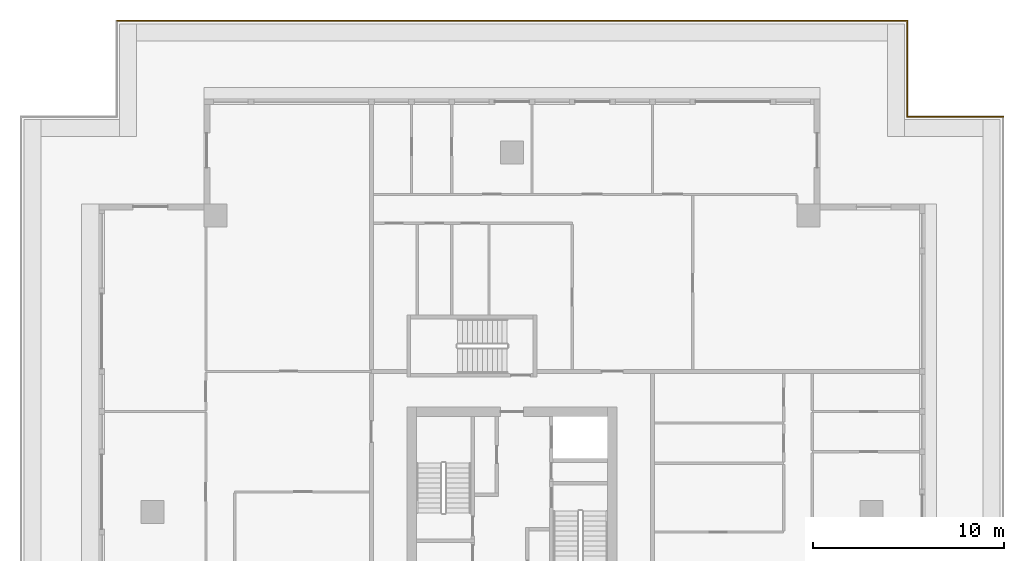
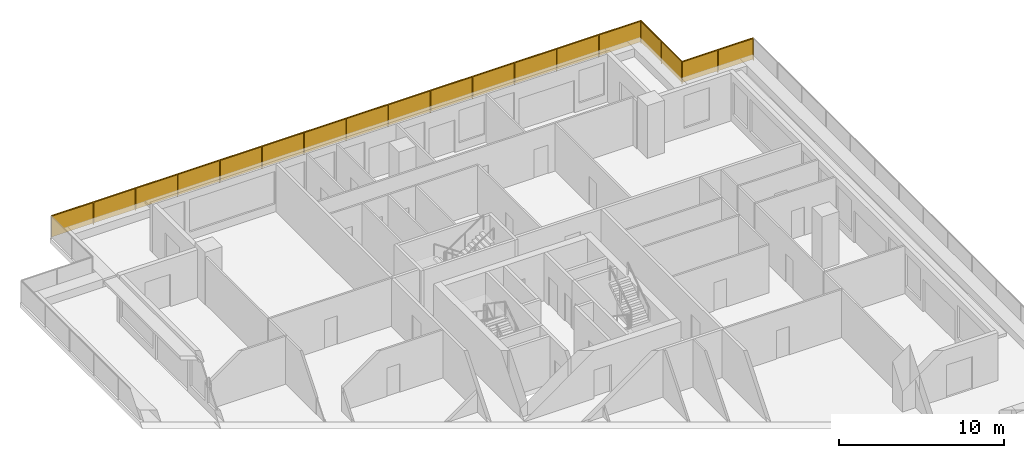
# One storey, part 11 of 11: 1 railing.
"""IFC4 building model written with IfcOpenShell, lengths in metres."""

from ifc_helpers import new_model, si_unit, direction, frame, origin, origin_2d, place, context, subcontext, project, spatial, rectangle, extrude, material, type_object, element, save


model = new_model("IFC4")

# Units and contexts
model_context = context("Model", 3, precision=1e-05, world=origin(), true_north=direction((0.0, 1.0)))
body_context = subcontext(model_context, "Body", "Model", "MODEL_VIEW")
ifc_project = project(units=[si_unit("LENGTHUNIT", "METRE"), si_unit("AREAUNIT", "SQUARE_METRE"), si_unit("VOLUMEUNIT", "CUBIC_METRE"), si_unit("PLANEANGLEUNIT", "RADIAN"), si_unit("MASSUNIT", "GRAM", prefix="KILO")], contexts=[model_context])

# Site, building, storey
site_placement = place(None, origin())
site = spatial("IfcSite", under=ifc_project, at=site_placement, CompositionType="ELEMENT")
building_placement = place(site_placement, origin())
building = spatial("IfcBuilding", under=site, at=building_placement, Name="Khepri Terraces", CompositionType="ELEMENT")
storey_placement = place(building_placement, frame((0.0, 0.0, 292.800048828125)))
storey = spatial("IfcBuildingStorey", under=building, at=storey_placement, Name="L70", CompositionType="ELEMENT", Elevation=292.800048828125)

# Railing
ifc_material = material(Name="Stainless steel grade 316", Category="steel")
railing_type = type_object("IfcRailingType", Name="GRD-TERR-1700", PredefinedType="GUARDRAIL", material=ifc_material)
railing_placement = place(storey_placement, frame((-20.669921875, 25.669921875, 0.0)))
element("IfcRailing", 1, at=railing_placement, inside=storey, type_object=railing_type, Name="Terrace guard L70", PredefinedType="GUARDRAIL", context=body_context, shape_type="SweptSolid", body=[
    extrude(rectangle(XDim=0.050048828125, YDim=0.06005859375, at=origin_2d()), frame((0.0, 0.0, 1.669921875), z_axis=(1.0, 0.0, 0.0), x_axis=(0.0, 1.0, 0.0)), (0.0, 0.0, 1.0), 41.33984375),
    extrude(rectangle(XDim=2.90283203125, YDim=0.011962890625, at=origin_2d()), frame((1.476318359375, 0.0, 0.10009765625), z_axis=(0.0, 0.0, 1.0), x_axis=(1.0, 0.0, 0.0)), (0.0, 0.0, 1.0), 1.539794921875),
    extrude(rectangle(XDim=2.90283203125, YDim=0.011962890625, at=origin_2d()), frame((4.42919921875, 0.0, 0.10009765625), z_axis=(0.0, 0.0, 1.0), x_axis=(1.0, 0.0, 0.0)), (0.0, 0.0, 1.0), 1.539794921875),
    extrude(rectangle(XDim=2.90283203125, YDim=0.011962890625, at=origin_2d()), frame((7.382080078125, 0.0, 0.10009765625), z_axis=(0.0, 0.0, 1.0), x_axis=(1.0, 0.0, 0.0)), (0.0, 0.0, 1.0), 1.539794921875),
    extrude(rectangle(XDim=2.90283203125, YDim=0.011962890625, at=origin_2d()), frame((10.3349609375, 0.0, 0.10009765625), z_axis=(0.0, 0.0, 1.0), x_axis=(1.0, 0.0, 0.0)), (0.0, 0.0, 1.0), 1.539794921875),
    extrude(rectangle(XDim=2.90283203125, YDim=0.011962890625, at=origin_2d()), frame((13.287841796875, 0.0, 0.10009765625), z_axis=(0.0, 0.0, 1.0), x_axis=(1.0, 0.0, 0.0)), (0.0, 0.0, 1.0), 1.539794921875),
    extrude(rectangle(XDim=2.90283203125, YDim=0.011962890625, at=origin_2d()), frame((16.24072265625, 0.0, 0.10009765625), z_axis=(0.0, 0.0, 1.0), x_axis=(1.0, 0.0, 0.0)), (0.0, 0.0, 1.0), 1.539794921875),
    extrude(rectangle(XDim=2.90283203125, YDim=0.011962890625, at=origin_2d()), frame((19.193603515625, 0.0, 0.10009765625), z_axis=(0.0, 0.0, 1.0), x_axis=(1.0, 0.0, 0.0)), (0.0, 0.0, 1.0), 1.539794921875),
    extrude(rectangle(XDim=2.90283203125, YDim=0.011962890625, at=origin_2d()), frame((22.146240234375, 0.0, 0.10009765625), z_axis=(0.0, 0.0, 1.0), x_axis=(1.0, 0.0, 0.0)), (0.0, 0.0, 1.0), 1.539794921875),
    extrude(rectangle(XDim=2.90283203125, YDim=0.011962890625, at=origin_2d()), frame((25.09912109375, 0.0, 0.10009765625), z_axis=(0.0, 0.0, 1.0), x_axis=(1.0, 0.0, 0.0)), (0.0, 0.0, 1.0), 1.539794921875),
    extrude(rectangle(XDim=2.90283203125, YDim=0.011962890625, at=origin_2d()), frame((28.052001953125, 0.0, 0.10009765625), z_axis=(0.0, 0.0, 1.0), x_axis=(1.0, 0.0, 0.0)), (0.0, 0.0, 1.0), 1.539794921875),
    extrude(rectangle(XDim=2.90283203125, YDim=0.011962890625, at=origin_2d()), frame((31.0048828125, 0.0, 0.10009765625), z_axis=(0.0, 0.0, 1.0), x_axis=(1.0, 0.0, 0.0)), (0.0, 0.0, 1.0), 1.539794921875),
    extrude(rectangle(XDim=2.90283203125, YDim=0.011962890625, at=origin_2d()), frame((33.957763671875, 0.0, 0.10009765625), z_axis=(0.0, 0.0, 1.0), x_axis=(1.0, 0.0, 0.0)), (0.0, 0.0, 1.0), 1.539794921875),
    extrude(rectangle(XDim=2.90283203125, YDim=0.011962890625, at=origin_2d()), frame((36.91064453125, 0.0, 0.10009765625), z_axis=(0.0, 0.0, 1.0), x_axis=(1.0, 0.0, 0.0)), (0.0, 0.0, 1.0), 1.539794921875),
    extrude(rectangle(XDim=2.90283203125, YDim=0.011962890625, at=origin_2d()), frame((39.863525390625, 0.0, 0.10009765625), z_axis=(0.0, 0.0, 1.0), x_axis=(1.0, 0.0, 0.0)), (0.0, 0.0, 1.0), 1.539794921875),
    extrude(rectangle(XDim=0.050048828125, YDim=0.06005859375, at=origin_2d()), frame((41.33984375, 0.0, 1.669921875), z_axis=(0.0, -1.0, 0.0), x_axis=(1.0, 0.0, 0.0)), (0.0, 0.0, 1.0), 5.0),
    extrude(rectangle(XDim=2.449951171875, YDim=0.011962890625, at=origin_2d()), frame((41.33984375, -1.25, 0.10009765625), z_axis=(0.0, 0.0, 1.0), x_axis=(0.0, -1.0, 0.0)), (0.0, 0.0, 1.0), 1.539794921875),
    extrude(rectangle(XDim=2.449951171875, YDim=0.011962890625, at=origin_2d()), frame((41.33984375, -3.75, 0.10009765625), z_axis=(0.0, 0.0, 1.0), x_axis=(0.0, -1.0, 0.0)), (0.0, 0.0, 1.0), 1.539794921875),
    extrude(rectangle(XDim=0.050048828125, YDim=0.06005859375, at=origin_2d()), frame((41.33984375, -5.0, 1.669921875), z_axis=(1.0, 0.0, 0.0), x_axis=(0.0, 1.0, 0.0)), (0.0, 0.0, 1.0), 5.0),
    extrude(rectangle(XDim=2.449951171875, YDim=0.011962890625, at=origin_2d()), frame((42.58984375, -5.0, 0.10009765625), z_axis=(0.0, 0.0, 1.0), x_axis=(1.0, 0.0, 0.0)), (0.0, 0.0, 1.0), 1.539794921875),
    extrude(rectangle(XDim=2.449951171875, YDim=0.011962890625, at=origin_2d()), frame((45.08984375, -5.0, 0.10009765625), z_axis=(0.0, 0.0, 1.0), x_axis=(1.0, 0.0, 0.0)), (0.0, 0.0, 1.0), 1.539794921875),
    extrude(rectangle(XDim=0.050048828125, YDim=0.050048828125, at=origin_2d()), frame((2.952880859375, 0.0, 0.0)), (0.0, 0.0, 1.0), 1.639892578125),
    extrude(rectangle(XDim=0.050048828125, YDim=0.050048828125, at=origin_2d()), frame((5.90576171875, 0.0, 0.0)), (0.0, 0.0, 1.0), 1.639892578125),
    extrude(rectangle(XDim=0.050048828125, YDim=0.050048828125, at=origin_2d()), frame((8.858642578125, 0.0, 0.0)), (0.0, 0.0, 1.0), 1.639892578125),
    extrude(rectangle(XDim=0.050048828125, YDim=0.050048828125, at=origin_2d()), frame((11.811279296875, 0.0, 0.0)), (0.0, 0.0, 1.0), 1.639892578125),
    extrude(rectangle(XDim=0.050048828125, YDim=0.050048828125, at=origin_2d()), frame((14.76416015625, 0.0, 0.0)), (0.0, 0.0, 1.0), 1.639892578125),
    extrude(rectangle(XDim=0.050048828125, YDim=0.050048828125, at=origin_2d()), frame((17.717041015625, 0.0, 0.0)), (0.0, 0.0, 1.0), 1.639892578125),
    extrude(rectangle(XDim=0.050048828125, YDim=0.050048828125, at=origin_2d()), frame((20.669921875, 0.0, 0.0)), (0.0, 0.0, 1.0), 1.639892578125),
    extrude(rectangle(XDim=0.050048828125, YDim=0.050048828125, at=origin_2d()), frame((23.622802734375, 0.0, 0.0)), (0.0, 0.0, 1.0), 1.639892578125),
    extrude(rectangle(XDim=0.050048828125, YDim=0.050048828125, at=origin_2d()), frame((26.57568359375, 0.0, 0.0)), (0.0, 0.0, 1.0), 1.639892578125),
    extrude(rectangle(XDim=0.050048828125, YDim=0.050048828125, at=origin_2d()), frame((29.528564453125, 0.0, 0.0)), (0.0, 0.0, 1.0), 1.639892578125),
    extrude(rectangle(XDim=0.050048828125, YDim=0.050048828125, at=origin_2d()), frame((32.481201171875, 0.0, 0.0)), (0.0, 0.0, 1.0), 1.639892578125),
    extrude(rectangle(XDim=0.050048828125, YDim=0.050048828125, at=origin_2d()), frame((35.43408203125, 0.0, 0.0)), (0.0, 0.0, 1.0), 1.639892578125),
    extrude(rectangle(XDim=0.050048828125, YDim=0.050048828125, at=origin_2d()), frame((38.386962890625, 0.0, 0.0)), (0.0, 0.0, 1.0), 1.639892578125),
    extrude(rectangle(XDim=0.050048828125, YDim=0.050048828125, at=origin_2d()), frame((41.33984375, 0.0, 0.0)), (0.0, 0.0, 1.0), 1.639892578125),
    extrude(rectangle(XDim=0.050048828125, YDim=0.050048828125, at=origin_2d()), frame((41.33984375, -2.5, 0.0)), (0.0, 0.0, 1.0), 1.639892578125),
    extrude(rectangle(XDim=0.050048828125, YDim=0.050048828125, at=origin_2d()), frame((41.33984375, -5.0, 0.0)), (0.0, 0.0, 1.0), 1.639892578125),
    extrude(rectangle(XDim=0.050048828125, YDim=0.050048828125, at=origin_2d()), frame((43.83984375, -5.0, 0.0)), (0.0, 0.0, 1.0), 1.639892578125),
    extrude(rectangle(XDim=0.050048828125, YDim=0.050048828125, at=origin_2d()), frame((46.33984375, -5.0, 0.0)), (0.0, 0.0, 1.0), 1.639892578125),
])

save(model, "model.ifc")
